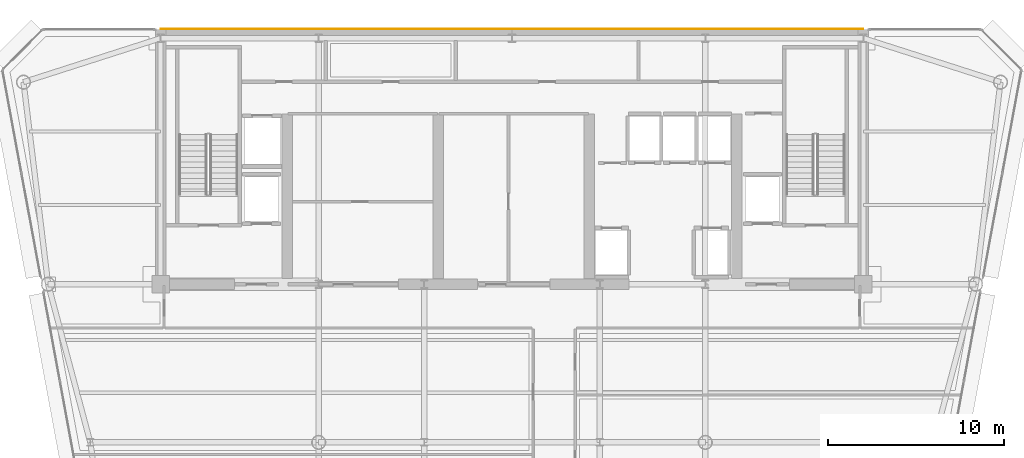
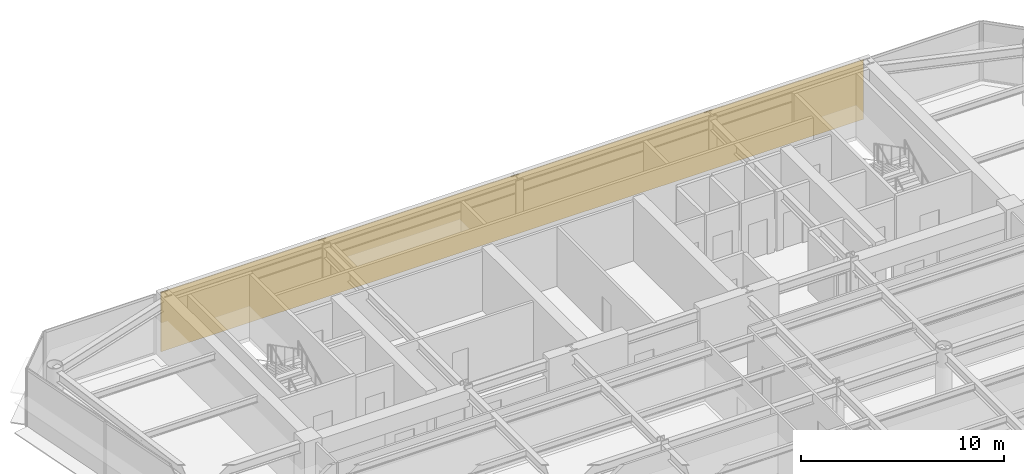
# One storey, part 15 of 16: 1 covering.
"""IFC4 building model written with IfcOpenShell, lengths in metres."""

from ifc_helpers import new_model, si_unit, direction, frame, origin, place, context, subcontext, project, spatial, polyline, outline, extrude, material, layer, layer_set, type_object, element, save


model = new_model("IFC4")

# Units and contexts
model_context = context("Model", 3, precision=1e-05, world=origin(), true_north=direction((0.0, 1.0)))
body_context = subcontext(model_context, "Body", "Model", "MODEL_VIEW")
ifc_project = project(units=[si_unit("LENGTHUNIT", "METRE"), si_unit("AREAUNIT", "SQUARE_METRE"), si_unit("VOLUMEUNIT", "CUBIC_METRE"), si_unit("PLANEANGLEUNIT", "RADIAN"), si_unit("MASSUNIT", "GRAM", prefix="KILO")], contexts=[model_context])

# Site, building, storey
site_placement = place(None, origin())
site = spatial("IfcSite", under=ifc_project, at=site_placement, CompositionType="ELEMENT")
building_placement = place(site_placement, origin())
building = spatial("IfcBuilding", under=site, at=building_placement, Name="Vaeldorn Concourse Tower", CompositionType="ELEMENT")
storey_placement = place(building_placement, frame((0.0, 0.0, 207.0)))
storey = spatial("IfcBuildingStorey", under=building, at=storey_placement, Name="L53", CompositionType="ELEMENT", Elevation=207.0)

# Covering
ifc_material = material(Name="Anodised Bronze Aluminium", Category="aluminium")
ifc_layer = layer(ifc_material, 0.050048828125)
ifc_layer_set = layer_set([ifc_layer], Name="Anodised Bronze Aluminium")
covering_type = type_object("IfcCoveringType", Name="COV-CLAD-BRONZE", PredefinedType="CLADDING", material=ifc_layer_set)
covering_placement = place(storey_placement, origin())
element("IfcCovering", 1, at=covering_placement, inside=storey, type_object=covering_type, Name="Rear Core Bronze Spandrel Cladding L53", PredefinedType="CLADDING", context=body_context, shape_type="SweptSolid", body=[
    extrude(outline(polyline([(14.0, 51.0), (54.0, 51.0), (54.0, 51.050048828125), (14.0, 51.050048828125), (14.0, 51.0)])), origin(), (0.0, 0.0, 1.0), 3.580078125),
])

save(model, "model.ifc")
